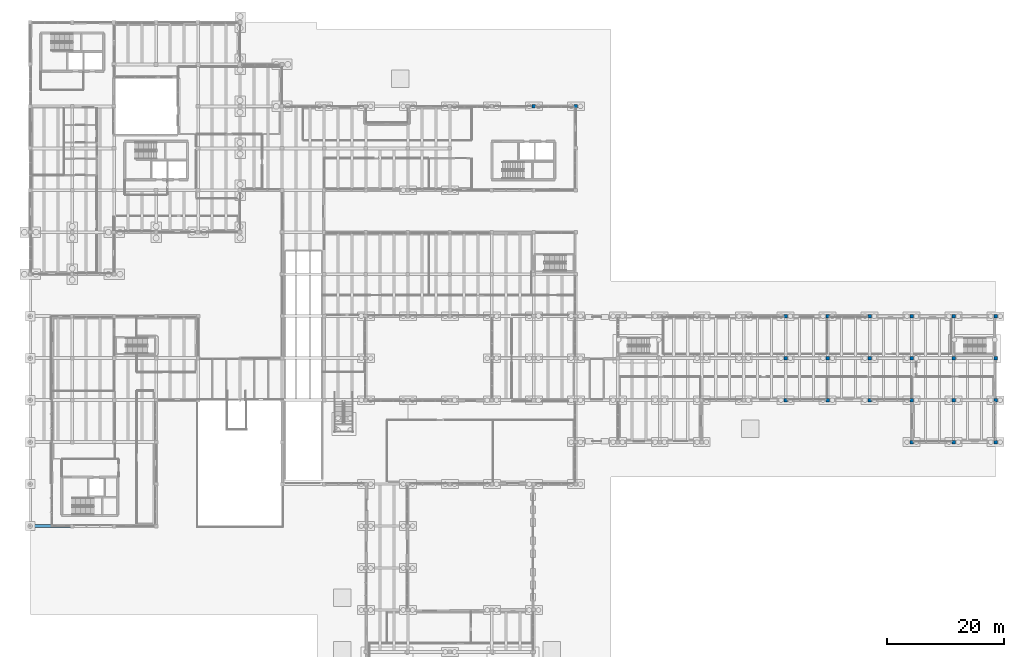
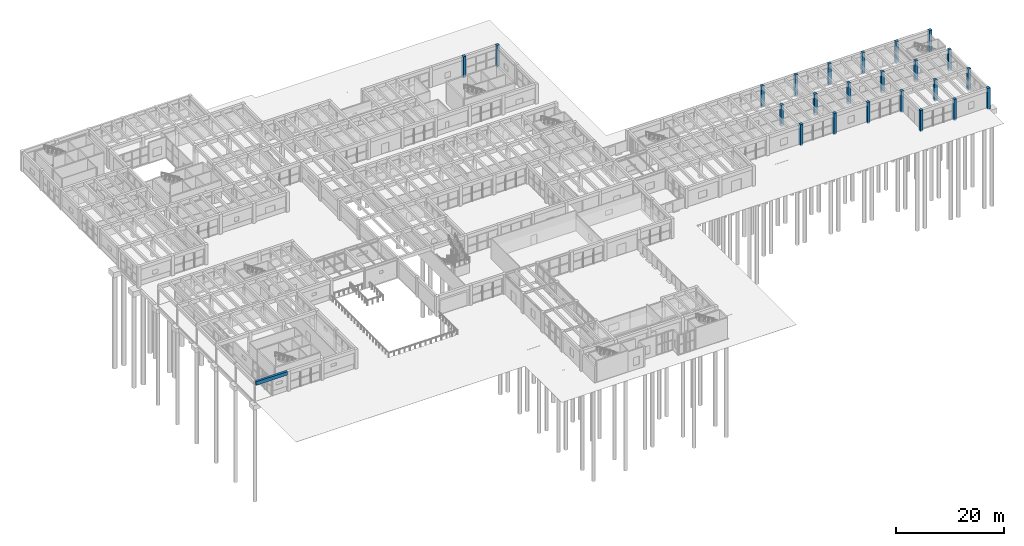
# One storey, part 12 of 155: 23 columns, 1 beam.
"""IFC4 building model written with IfcOpenShell, lengths in metres."""

from ifc_helpers import new_model, si_unit, direction, frame, origin, origin_2d, place, context, subcontext, project, spatial, rectangle, extrude, material, material_profile, profile_set, type_object, element, save


model = new_model("IFC4")

# Units and contexts
model_context = context("Model", 3, precision=1e-05, world=origin(), true_north=direction((0.0, 1.0)))
body_context = subcontext(model_context, "Body", "Model", "MODEL_VIEW")
ifc_project = project(units=[si_unit("LENGTHUNIT", "METRE"), si_unit("AREAUNIT", "SQUARE_METRE"), si_unit("VOLUMEUNIT", "CUBIC_METRE"), si_unit("PLANEANGLEUNIT", "RADIAN"), si_unit("MASSUNIT", "GRAM", prefix="KILO")], contexts=[model_context])

# Site, building, storey
site_placement = place(None, origin())
site = spatial("IfcSite", under=ifc_project, at=site_placement, CompositionType="ELEMENT")
building_placement = place(site_placement, origin())
building = spatial("IfcBuilding", under=site, at=building_placement, Name="Bramvelor Terrace Health Centre", CompositionType="ELEMENT")
storey_placement = place(building_placement, origin())
storey = spatial("IfcBuildingStorey", under=building, at=storey_placement, Name="L01", CompositionType="ELEMENT", Elevation=0.0)

# Columns
ifc_material_1 = material(Name="Concrete C40/50", Category="concrete")
ifc_material_profile_1 = material_profile(ifc_material_1, rectangle(XDim=0.60009765625, YDim=0.60009765625, at=origin_2d()), Name="RC 600x600")
ifc_profile_set_1 = profile_set([ifc_material_profile_1], Name="Concrete C40/50")
column_type_1 = type_object("IfcColumnType", Name="COL-RC-600", PredefinedType="COLUMN", material=ifc_profile_set_1)
for number, where, z_axis, x_axis, name in (
    (1, (86.39990234375, 100.800048828125, -0.25), (0.0, 0.0, 1.0), (1.0, 0.0, 0.0), "L01 Column (86.4, 100.8)"),
    (2, (93.60009765625, 100.800048828125, -0.25), (0.0, 0.0, 1.0), (1.0, 0.0, 0.0), "L01 Column (93.6, 100.8)"),
):
    element("IfcColumn", number, at=place(storey_placement, frame(where, z_axis=z_axis, x_axis=x_axis)), inside=storey, type_object=column_type_1, Name=name, PredefinedType="COLUMN", context=body_context, shape_type="SweptSolid", body=[
        extrude(rectangle(XDim=0.60009765625, YDim=0.60009765625, at=origin_2d()), origin(), (0.0, 0.0, 1.0), 4.780029296875),
    ])
for number, where, z_axis, x_axis, name in (
    (3, (129.60009765625, 50.39990234375, -0.25), (0.0, 0.0, 1.0), (1.0, 0.0, 0.0), "L01 Column (129.6, 50.4)"),
    (4, (129.60009765625, 57.60009765625, -0.25), (0.0, 0.0, 1.0), (1.0, 0.0, 0.0), "L01 Column (129.6, 57.6)"),
    (5, (129.60009765625, 64.800048828125, -0.25), (0.0, 0.0, 1.0), (1.0, 0.0, 0.0), "L01 Column (129.6, 64.8)"),
    (6, (136.800048828125, 50.39990234375, -0.25), (0.0, 0.0, 1.0), (1.0, 0.0, 0.0), "L01 Column (136.8, 50.4)"),
    (7, (136.800048828125, 57.60009765625, -0.25), (0.0, 0.0, 1.0), (1.0, 0.0, 0.0), "L01 Column (136.8, 57.6)"),
    (8, (136.800048828125, 64.800048828125, -0.25), (0.0, 0.0, 1.0), (1.0, 0.0, 0.0), "L01 Column (136.8, 64.8)"),
    (9, (144.0, 50.39990234375, -0.25), (0.0, 0.0, 1.0), (1.0, 0.0, 0.0), "L01 Column (144.0, 50.4)"),
    (10, (144.0, 57.60009765625, -0.25), (0.0, 0.0, 1.0), (1.0, 0.0, 0.0), "L01 Column (144.0, 57.6)"),
    (11, (144.0, 64.800048828125, -0.25), (0.0, 0.0, 1.0), (1.0, 0.0, 0.0), "L01 Column (144.0, 64.8)"),
    (12, (151.199951171875, 43.199951171875, -0.25), (0.0, 0.0, 1.0), (1.0, 0.0, 0.0), "L01 Column (151.2, 43.2)"),
    (13, (151.199951171875, 50.39990234375, -0.25), (0.0, 0.0, 1.0), (1.0, 0.0, 0.0), "L01 Column (151.2, 50.4)"),
    (14, (151.199951171875, 57.60009765625, -0.25), (0.0, 0.0, 1.0), (1.0, 0.0, 0.0), "L01 Column (151.2, 57.6)"),
    (15, (151.199951171875, 64.800048828125, -0.25), (0.0, 0.0, 1.0), (1.0, 0.0, 0.0), "L01 Column (151.2, 64.8)"),
    (16, (158.39990234375, 43.199951171875, -0.25), (0.0, 0.0, 1.0), (1.0, 0.0, 0.0), "L01 Column (158.4, 43.2)"),
    (17, (158.39990234375, 50.39990234375, -0.25), (0.0, 0.0, 1.0), (1.0, 0.0, 0.0), "L01 Column (158.4, 50.4)"),
    (18, (158.39990234375, 57.60009765625, -0.25), (0.0, 0.0, 1.0), (1.0, 0.0, 0.0), "L01 Column (158.4, 57.6)"),
    (19, (158.39990234375, 64.800048828125, -0.25), (0.0, 0.0, 1.0), (1.0, 0.0, 0.0), "L01 Column (158.4, 64.8)"),
):
    element("IfcColumn", number, at=place(storey_placement, frame(where, z_axis=z_axis, x_axis=x_axis)), inside=storey, type_object=column_type_1, Name=name, PredefinedType="COLUMN", context=body_context, shape_type="SweptSolid", body=[
        extrude(rectangle(XDim=0.60009765625, YDim=0.60009765625, at=origin_2d()), origin(), (0.0, 0.0, 1.0), 4.81005859375),
    ])
ifc_material_2 = material(Name="Concrete C40/50", Category="concrete")
ifc_material_profile_2 = material_profile(ifc_material_2, rectangle(XDim=0.60009765625, YDim=0.60009765625, at=origin_2d()), Name="RC 600x600")
ifc_profile_set_2 = profile_set([ifc_material_profile_2], Name="Concrete C40/50")
column_type_2 = type_object("IfcColumnType", Name="COL-RC-600-EXT", PredefinedType="COLUMN", material=ifc_profile_set_2)
for number, where, z_axis, x_axis, name in (
    (20, (165.60009765625, 43.199951171875, -0.25), (0.0, 0.0, 1.0), (1.0, 0.0, 0.0), "L01 Column (165.6, 43.2)"),
    (21, (165.60009765625, 50.39990234375, -0.25), (0.0, 0.0, 1.0), (1.0, 0.0, 0.0), "L01 Column (165.6, 50.4)"),
    (22, (165.60009765625, 57.60009765625, -0.25), (0.0, 0.0, 1.0), (1.0, 0.0, 0.0), "L01 Column (165.6, 57.6)"),
    (23, (165.60009765625, 64.800048828125, -0.25), (0.0, 0.0, 1.0), (1.0, 0.0, 0.0), "L01 Column (165.6, 64.8)"),
):
    element("IfcColumn", number, at=place(storey_placement, frame(where, z_axis=z_axis, x_axis=x_axis)), inside=storey, type_object=column_type_2, Name=name, PredefinedType="COLUMN", context=body_context, shape_type="SweptSolid", body=[
        extrude(rectangle(XDim=0.60009765625, YDim=0.60009765625, at=origin_2d()), origin(), (0.0, 0.0, 1.0), 4.81005859375),
    ])

# Beam
ifc_material_3 = material(Name="Concrete C40/50", Category="concrete")
ifc_material_profile_3 = material_profile(ifc_material_3, rectangle(XDim=0.5, YDim=0.800048828125, at=origin_2d()), Name="RC 500x800")
ifc_profile_set_3 = profile_set([ifc_material_profile_3], Name="Concrete C40/50")
beam_type = type_object("IfcBeamType", Name="BM-RC-G800", PredefinedType="BEAM", material=ifc_profile_set_3)
beam_placement = place(storey_placement, frame((0.136474609375, 28.800048828125, 4.159912109375), z_axis=(1.0, 0.0, 0.0), x_axis=(0.0, 1.0, 0.0)))
element("IfcBeam", 24, at=beam_placement, inside=storey, type_object=beam_type, Name="L01 Floor Girder", PredefinedType="BEAM", context=body_context, shape_type="SweptSolid", body=[
    extrude(rectangle(XDim=0.5, YDim=0.800048828125, at=origin_2d()), origin(), (0.0, 0.0, 1.0), 6.763427734375),
])

save(model, "model.ifc")
